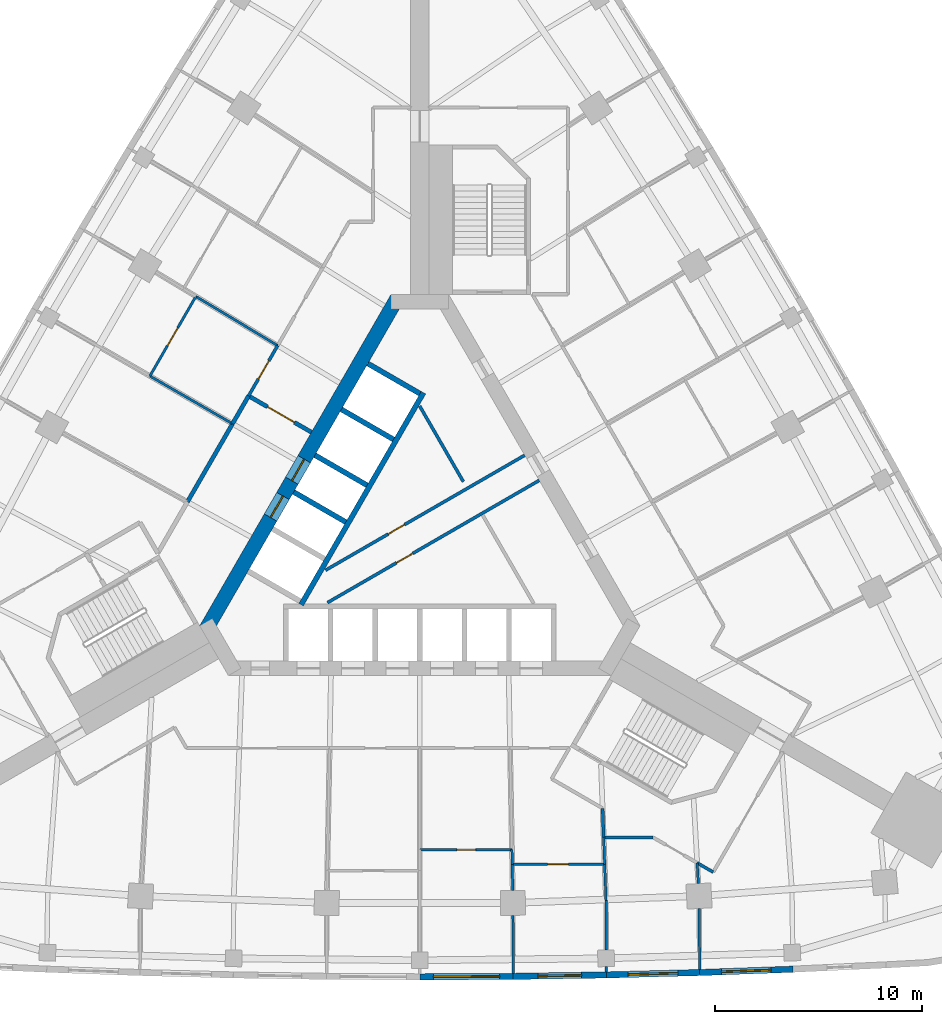
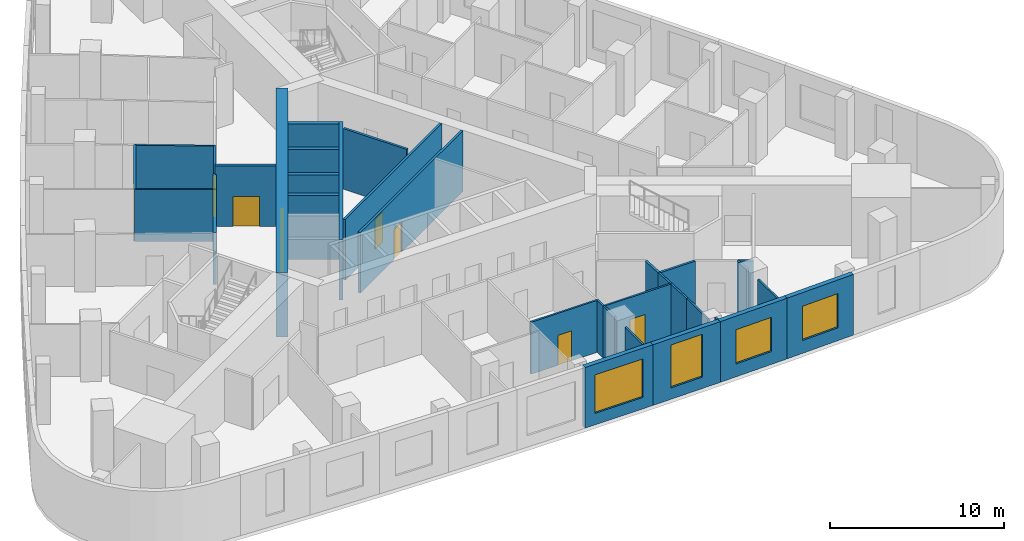
# One storey, part 6 of 11: 34 walls, 9 doors, 4 windows, 13 openings.
"""IFC4 building model written with IfcOpenShell, lengths in metres."""

from ifc_helpers import new_model, si_unit, direction, frame, frame_2d, origin, place, context, subcontext, project, spatial, rectangle, extrude, material, layer, layer_set, type_object, element, fill, save


model = new_model("IFC4")

# Units and contexts
model_context = context("Model", 3, precision=1e-05, world=origin(), true_north=direction((0.0, 1.0)))
body_context = subcontext(model_context, "Body", "Model", "MODEL_VIEW")
ifc_project = project(units=[si_unit("LENGTHUNIT", "METRE"), si_unit("AREAUNIT", "SQUARE_METRE"), si_unit("VOLUMEUNIT", "CUBIC_METRE"), si_unit("PLANEANGLEUNIT", "RADIAN"), si_unit("MASSUNIT", "GRAM", prefix="KILO")], contexts=[model_context])

# Site, building, storey
site_placement = place(None, origin())
site = spatial("IfcSite", under=ifc_project, at=site_placement, CompositionType="ELEMENT")
building_placement = place(site_placement, origin())
building = spatial("IfcBuilding", under=site, at=building_placement, Name="Noor Cloister Tower", CompositionType="ELEMENT")
storey_placement = place(building_placement, frame((0.0, 0.0, 10.5)))
storey = spatial("IfcBuildingStorey", under=building, at=storey_placement, Name="L02", CompositionType="ELEMENT", Elevation=10.5)

# Wall, opening, door
ifc_material_1 = material(Name="Concrete C30/37", Category="concrete")
ifc_layer_1 = layer(ifc_material_1, 0.14990234375)
ifc_layer_set_1 = layer_set([ifc_layer_1], Name="Core partition 150 C30/37")
wall_type_1 = type_object("IfcWallType", Name="Core partition 150 C30/37", PredefinedType="PARTITIONING", material=ifc_layer_set_1)
wall_1_placement = place(storey_placement, frame((-4.547607421875, -1.8505859375, 0.0), z_axis=(0.0, 0.0, 1.0), x_axis=(0.866023939251, 0.500002536638, 0.0)))
wall_1 = element("IfcWall", 1, at=wall_1_placement, inside=storey, type_object=wall_type_1, Name="Core room partition L02 1", PredefinedType="PARTITIONING", context=body_context, shape_type="SweptSolid", body=[
    extrude(rectangle(XDim=11.091796875, YDim=0.14990234375, at=frame_2d((5.5458984375, 0.0))), origin(), (0.0, 0.0, 1.0), 4.25),
])
opening_1_placement = place(wall_1_placement, frame((3.4970703125, 0.0, 0.0)))
opening_1 = element("IfcOpeningElement", 2, at=opening_1_placement, cuts=wall_1, Name="Opening L02-906", PredefinedType="OPENING", context=body_context, shape_type="SweptSolid", body=[
    extrude(rectangle(XDim=0.89990234375, YDim=2.10009765625, at=frame_2d((0.449951171875, 1.050048828125))), frame((0.0, 0.0849609375, 0.0), z_axis=(0.0, -1.0, 0.0), x_axis=(1.0, 0.0, 0.0)), (0.0, 0.0, 1.0), 0.169921875),
])
ifc_material_2 = material(Name="Steel", Category="steel")
door_type_1 = type_object("IfcDoorType", Name="Core door 900 x 2100 FD60", OperationType="SINGLE_SWING_LEFT", PredefinedType="DOOR", material=ifc_material_2)
door_1_placement = place(opening_1_placement, origin())
door_1 = element("IfcDoor", 3, at=door_1_placement, inside=storey, type_object=door_type_1, Name="Core door 6 L02", OperationType="SINGLE_SWING_RIGHT", OverallHeight=2.10009765625, OverallWidth=0.89990234375, PredefinedType="DOOR", context=body_context, shape_type="SweptSolid", body=[
    extrude(rectangle(XDim=0.89990234375, YDim=2.10009765625, at=frame_2d((0.449951171875, 1.050048828125))), frame((0.0, 0.02490234375, 0.0), z_axis=(0.0, -1.0, 0.0), x_axis=(1.0, 0.0, 0.0)), (0.0, 0.0, 1.0), 0.050048828125),
])
fill(opening_1, door_1)

# Wall
wall_2_placement = place(storey_placement, frame((2.099365234375, 2.420166015625, 0.0), z_axis=(0.0, 0.0, 1.0), x_axis=(-0.499998449073, 0.866026299211, 0.0)))
element("IfcWall", 4, at=wall_2_placement, inside=storey, type_object=wall_type_1, Name="Core room partition L02 2", PredefinedType="PARTITIONING", context=body_context, shape_type="SweptSolid", body=[
    extrude(rectangle(XDim=4.21142578125, YDim=0.14990234375, at=frame_2d((2.105712890625, 0.0))), origin(), (0.0, 0.0, 1.0), 4.25),
])

# Wall, opening, door
wall_3_placement = place(storey_placement, frame((-4.454345703125, -3.4130859375, 0.0), z_axis=(0.0, 0.0, 1.0), x_axis=(0.86603043987, 0.499991277142, 0.0)))
wall_3 = element("IfcWall", 5, at=wall_3_placement, inside=storey, type_object=wall_type_1, Name="Core room partition L02 3", PredefinedType="PARTITIONING", context=body_context, shape_type="SweptSolid", body=[
    extrude(rectangle(XDim=11.792236328125, YDim=0.14990234375, at=frame_2d((5.89599609375, 0.0))), origin(), (0.0, 0.0, 1.0), 4.25),
])
opening_2_placement = place(wall_3_placement, frame((3.84716796875, 0.0, 0.0)))
opening_2 = element("IfcOpeningElement", 6, at=opening_2_placement, cuts=wall_3, Name="Opening L02-904", PredefinedType="OPENING", context=body_context, shape_type="SweptSolid", body=[
    extrude(rectangle(XDim=0.89990234375, YDim=2.10009765625, at=frame_2d((0.449951171875, 1.050048828125))), frame((0.0, 0.0849609375, 0.0), z_axis=(0.0, -1.0, 0.0), x_axis=(1.0, 0.0, 0.0)), (0.0, 0.0, 1.0), 0.169921875),
])
ifc_material_3 = material(Name="Steel", Category="steel")
door_type_2 = type_object("IfcDoorType", Name="Core door 900 x 2100 FD120", OperationType="SINGLE_SWING_LEFT", PredefinedType="DOOR", material=ifc_material_3)
door_2_placement = place(opening_2_placement, origin())
door_2 = element("IfcDoor", 7, at=door_2_placement, inside=storey, type_object=door_type_2, Name="Core door 4 L02", OperationType="SINGLE_SWING_RIGHT", OverallHeight=2.10009765625, OverallWidth=0.89990234375, PredefinedType="DOOR", context=body_context, shape_type="SweptSolid", body=[
    extrude(rectangle(XDim=0.89990234375, YDim=2.10009765625, at=frame_2d((0.449951171875, 1.050048828125))), frame((0.0, 0.02490234375, 0.0), z_axis=(0.0, -1.0, 0.0), x_axis=(1.0, 0.0, 0.0)), (0.0, 0.0, 1.0), 0.050048828125),
])
fill(opening_2, door_2)

# Wall, openings, doors
ifc_material_4 = material(Name="Concrete C80/95", Category="concrete")
ifc_layer_2 = layer(ifc_material_4, 0.699951171875)
ifc_layer_set_2 = layer_set([ifc_layer_2], Name="Core wall 700 C80/95")
wall_type_2 = type_object("IfcWallType", Name="Core wall 700 C80/95", PredefinedType="SHEAR", material=ifc_layer_set_2)
wall_4_placement = place(storey_placement, frame((-1.08251953125, 11.281494140625, -0.25), z_axis=(0.0, 0.0, 1.0), x_axis=(-0.500001446645, -0.866024568562, 0.0)))
wall_4 = element("IfcWall", 8, at=wall_4_placement, inside=storey, type_object=wall_type_2, Name="Core wall L02 5", PredefinedType="SHEAR", context=body_context, shape_type="SweptSolid", body=[
    extrude(rectangle(XDim=18.45751953125, YDim=0.699951171875, at=frame_2d((9.228759765625, 0.0))), origin(), (0.0, 0.0, 1.0), 4.5),
])
opening_3_placement = place(wall_4_placement, frame((8.978759765625, 0.0, 0.25)))
opening_3 = element("IfcOpeningElement", 9, at=opening_3_placement, cuts=wall_4, Name="Opening L02-FF1", PredefinedType="OPENING", context=body_context, shape_type="SweptSolid", body=[
    extrude(rectangle(XDim=1.199951171875, YDim=2.10009765625, at=frame_2d((0.60009765625, 1.050048828125))), frame((0.0, 0.35986328125, 0.0), z_axis=(0.0, -1.0, 0.0), x_axis=(1.0, 0.0, 0.0)), (0.0, 0.0, 1.0), 0.719970703125),
])
opening_4_placement = place(wall_4_placement, frame((11.02880859375, 0.0, 0.25)))
opening_4 = element("IfcOpeningElement", 10, at=opening_4_placement, cuts=wall_4, Name="Opening L02-FF2", PredefinedType="OPENING", context=body_context, shape_type="SweptSolid", body=[
    extrude(rectangle(XDim=1.199951171875, YDim=2.10009765625, at=frame_2d((0.60009765625, 1.050048828125))), frame((0.0, 0.35986328125, 0.0), z_axis=(0.0, -1.0, 0.0), x_axis=(1.0, 0.0, 0.0)), (0.0, 0.0, 1.0), 0.719970703125),
])
ifc_material_5 = material(Name="Stainless steel", Category="steel")
door_type_3 = type_object("IfcDoorType", Name="Lift landing door 1200 x 2100", OperationType="DOUBLE_DOOR_SLIDING", PredefinedType="DOOR", material=ifc_material_5)
door_3_placement = place(opening_3_placement, origin())
door_3 = element("IfcDoor", 11, at=door_3_placement, inside=storey, type_object=door_type_3, Name="Landing door FF1 L02", OperationType="DOUBLE_DOOR_SLIDING", OverallHeight=2.10009765625, OverallWidth=1.199951171875, PredefinedType="DOOR", context=body_context, shape_type="SweptSolid", body=[
    extrude(rectangle(XDim=1.199951171875, YDim=2.10009765625, at=frame_2d((0.60009765625, 1.050048828125))), frame((0.0, 0.02490234375, 0.0), z_axis=(0.0, -1.0, 0.0), x_axis=(1.0, 0.0, 0.0)), (0.0, 0.0, 1.0), 0.050048828125),
])
fill(opening_3, door_3)
door_4_placement = place(opening_4_placement, origin())
door_4 = element("IfcDoor", 12, at=door_4_placement, inside=storey, type_object=door_type_3, Name="Landing door FF2 L02", OperationType="DOUBLE_DOOR_SLIDING", OverallHeight=2.10009765625, OverallWidth=1.199951171875, PredefinedType="DOOR", context=body_context, shape_type="SweptSolid", body=[
    extrude(rectangle(XDim=1.199951171875, YDim=2.10009765625, at=frame_2d((0.60009765625, 1.050048828125))), frame((0.0, 0.02490234375, 0.0), z_axis=(0.0, -1.0, 0.0), x_axis=(1.0, 0.0, 0.0)), (0.0, 0.0, 1.0), 0.050048828125),
])
fill(opening_4, door_4)

# Walls
ifc_material_6 = material(Name="Plasterboard on steel studs", Category="steel")
ifc_layer_3 = layer(ifc_material_6, 0.14990234375)
ifc_layer_set_3 = layer_set([ifc_layer_3], Name="Corridor wall 150")
wall_type_3 = type_object("IfcWallType", Name="Corridor wall 150", PredefinedType="PARTITIONING", material=ifc_layer_set_3)
wall_5_placement = place(storey_placement, frame((11.237060546875, -14.72802734375, 0.0), z_axis=(0.0, 0.0, 1.0), x_axis=(-1.0, 0.0, 0.0)))
element("IfcWall", 13, at=wall_5_placement, inside=storey, type_object=wall_type_3, Name="Partition", PredefinedType="PARTITIONING", context=body_context, shape_type="SweptSolid", body=[
    extrude(rectangle(XDim=2.3720703125, YDim=0.14990234375, at=frame_2d((1.18603515625, 0.0))), origin(), (0.0, 0.0, 1.0), 3.637939453125),
])
ifc_material_7 = material(Name="Plasterboard on steel studs", Category="steel")
ifc_layer_4 = layer(ifc_material_7, 0.14990234375)
ifc_layer_set_4 = layer_set([ifc_layer_4], Name="Corridor wall 150 EI 60")
wall_type_4 = type_object("IfcWallType", Name="Corridor wall 150 EI 60", PredefinedType="PARTITIONING", material=ifc_layer_set_4)
wall_6_placement = place(storey_placement, frame((14.14697265625, -16.406982421875, 0.0), z_axis=(0.0, 0.0, 1.0), x_axis=(-0.866276218641, 0.499565324075, 0.0)))
element("IfcWall", 14, at=wall_6_placement, inside=storey, type_object=wall_type_4, Name="Partition", PredefinedType="PARTITIONING", context=body_context, shape_type="SweptSolid", body=[
    extrude(rectangle(XDim=0.896728515625, YDim=0.14990234375, at=frame_2d((0.4482421875, 0.0))), origin(), (0.0, 0.0, 1.0), 3.637939453125),
])
wall_7_placement = place(storey_placement, frame((8.864990234375, -14.72705078125, 0.0), z_axis=(0.0, 0.0, 1.0), x_axis=(-0.037173032443, 0.999308843981, 0.0)))
element("IfcWall", 15, at=wall_7_placement, inside=storey, type_object=wall_type_4, Name="Partition", PredefinedType="PARTITIONING", context=body_context, shape_type="SweptSolid", body=[
    extrude(rectangle(XDim=1.39892578125, YDim=0.14990234375, at=frame_2d((0.699462890625, 0.0))), origin(), (0.0, 0.0, 1.0), 3.637939453125),
])

# Wall, opening, door
wall_8_placement = place(storey_placement, frame((-8.256103515625, 6.55810546875, 0.0), z_axis=(0.0, 0.0, 1.0), x_axis=(0.500081734942, 0.86597820895, 0.0)))
wall_8 = element("IfcWall", 16, at=wall_8_placement, inside=storey, type_object=wall_type_4, Name="Partition", PredefinedType="PARTITIONING", context=body_context, shape_type="SweptSolid", body=[
    extrude(rectangle(XDim=2.8037109375, YDim=0.14990234375, at=frame_2d((1.40185546875, 0.0))), origin(), (0.0, 0.0, 1.0), 3.637939453125),
])
opening_5_placement = place(wall_8_placement, frame((0.949951171875, 0.0, 0.0)))
opening_5 = element("IfcOpeningElement", 17, at=opening_5_placement, cuts=wall_8, Name="Opening L02-020", PredefinedType="OPENING", context=body_context, shape_type="SweptSolid", body=[
    extrude(rectangle(XDim=1.0, YDim=2.10009765625, at=frame_2d((0.5, 1.050048828125))), frame((0.0, 0.0849609375, 0.0), z_axis=(0.0, -1.0, 0.0), x_axis=(1.0, 0.0, 0.0)), (0.0, 0.0, 1.0), 0.169921875),
])
ifc_material_8 = material(Name="Timber door leaf", Category="wood")
door_type_4 = type_object("IfcDoorType", Name="Clinic room door 1000 FD60", OperationType="SINGLE_SWING_LEFT", PredefinedType="DOOR", material=ifc_material_8)
door_5_placement = place(opening_5_placement, origin())
door_5 = element("IfcDoor", 18, at=door_5_placement, inside=storey, type_object=door_type_4, Name="Door L02-020", OperationType="SINGLE_SWING_RIGHT", OverallHeight=2.10009765625, OverallWidth=1.0, PredefinedType="DOOR", context=body_context, shape_type="SweptSolid", body=[
    extrude(rectangle(XDim=1.0, YDim=2.10009765625, at=frame_2d((0.5, 1.050048828125))), frame((0.0, 0.02490234375, 0.0), z_axis=(0.0, -1.0, 0.0), x_axis=(1.0, 0.0, 0.0)), (0.0, 0.0, 1.0), 0.050048828125),
])
fill(opening_5, door_5)

# Walls
ifc_material_9 = material(Name="Reinforced blockwork", Category="masonry")
ifc_layer_5 = layer(ifc_material_9, 0.199951171875)
ifc_layer_set_5 = layer_set([ifc_layer_5], Name="Fire rated block wall 200")
wall_type_5 = type_object("IfcWallType", Name="Fire rated block wall 200", PredefinedType="PARTITIONING", material=ifc_layer_set_5)
wall_9_placement = place(storey_placement, frame((-9.031005859375, 5.212890625, 0.0), z_axis=(0.0, 0.0, 1.0), x_axis=(-0.500044734646, -0.865999574684, 0.0)))
element("IfcWall", 19, at=wall_9_placement, inside=storey, type_object=wall_type_5, Name="Fire rated wall", PredefinedType="PARTITIONING", context=body_context, shape_type="SweptSolid", body=[
    extrude(rectangle(XDim=4.349609375, YDim=0.199951171875, at=frame_2d((2.1748046875, 0.0))), origin(), (0.0, 0.0, 1.0), 3.637939453125),
])
wall_10_placement = place(storey_placement, frame((-8.256103515625, 6.555908203125, 0.0), z_axis=(0.0, 0.0, 1.0), x_axis=(-0.499904469662, -0.866080551226, 0.0)))
element("IfcWall", 20, at=wall_10_placement, inside=storey, type_object=wall_type_5, Name="Fire rated wall", PredefinedType="PARTITIONING", context=body_context, shape_type="SweptSolid", body=[
    extrude(rectangle(XDim=1.548095703125, YDim=0.199951171875, at=frame_2d((0.77392578125, 0.0))), origin(), (0.0, 0.0, 1.0), 3.637939453125),
])

# Wall, opening, door
wall_11_placement = place(storey_placement, frame((-5.22607421875, 4.805908203125, 0.0), z_axis=(0.0, 0.0, 1.0), x_axis=(-0.865949687125, 0.500131122175, 0.0)))
wall_11 = element("IfcWall", 21, at=wall_11_placement, inside=storey, type_object=wall_type_5, Name="Fire rated wall", PredefinedType="PARTITIONING", context=body_context, shape_type="SweptSolid", body=[
    extrude(rectangle(XDim=3.4990234375, YDim=0.199951171875, at=frame_2d((1.74951171875, 0.0))), origin(), (0.0, 0.0, 1.0), 4.25),
])
opening_6_placement = place(wall_11_placement, frame((0.949951171875, 0.0, 0.0)))
opening_6 = element("IfcOpeningElement", 22, at=opening_6_placement, cuts=wall_11, Name="Opening L02-034", PredefinedType="OPENING", context=body_context, shape_type="SweptSolid", body=[
    extrude(rectangle(XDim=1.5, YDim=2.10009765625, at=frame_2d((0.75, 1.050048828125))), frame((0.0, 0.10986328125, 0.0), z_axis=(0.0, -1.0, 0.0), x_axis=(1.0, 0.0, 0.0)), (0.0, 0.0, 1.0), 0.219970703125),
])
ifc_material_10 = material(Name="Steel fire door", Category="steel")
door_type_5 = type_object("IfcDoorType", Name="Smoke barrier door FD60 1500", OperationType="DOUBLE_DOOR_SINGLE_SWING", PredefinedType="DOOR", material=ifc_material_10)
door_6_placement = place(opening_6_placement, origin())
door_6 = element("IfcDoor", 23, at=door_6_placement, inside=storey, type_object=door_type_5, Name="Door L02-034", OperationType="DOUBLE_DOOR_SINGLE_SWING", OverallHeight=2.10009765625, OverallWidth=1.5, PredefinedType="DOOR", context=body_context, shape_type="SweptSolid", body=[
    extrude(rectangle(XDim=1.5, YDim=2.10009765625, at=frame_2d((0.75, 1.050048828125))), frame((0.0, 0.02490234375, 0.0), z_axis=(0.0, -1.0, 0.0), x_axis=(1.0, 0.0, 0.0)), (0.0, 0.0, 1.0), 0.050048828125),
])
fill(opening_6, door_6)

# Wall, opening, window
ifc_material_11 = material(Name="Limestone", Category="masonry")
ifc_layer_6 = layer(ifc_material_11, 0.300048828125)
ifc_layer_set_6 = layer_set([ifc_layer_6], Name="Limestone panel wall 300")
wall_type_6 = type_object("IfcWallType", Name="Limestone panel wall 300", PredefinedType="NOTDEFINED", material=ifc_layer_set_6)
wall_12_placement = place(storey_placement, frame((4.4970703125, -21.43408203125, 0.0), z_axis=(0.0, 0.0, 1.0), x_axis=(-0.999986693461, -0.005158769258, 0.0)))
wall_12 = element("IfcWall", 24, at=wall_12_placement, inside=storey, type_object=wall_type_6, Name="Limestone wall L02 S 6", PredefinedType="NOTDEFINED", context=body_context, shape_type="SweptSolid", body=[
    extrude(rectangle(XDim=4.495849609375, YDim=0.300048828125, at=frame_2d((2.248046875, 0.0))), origin(), (0.0, 0.0, 1.0), 4.25),
])
opening_7_placement = place(wall_12_placement, frame((0.64794921875, 0.0, 0.800048828125)))
opening_7 = element("IfcOpeningElement", 25, at=opening_7_placement, cuts=wall_12, Name="Opening L02-W16", PredefinedType="OPENING", context=body_context, shape_type="SweptSolid", body=[
    extrude(rectangle(XDim=3.199951171875, YDim=2.699951171875, at=frame_2d((1.60009765625, 1.35009765625))), frame((0.0, 0.16015625, 0.0), z_axis=(0.0, -1.0, 0.0), x_axis=(1.0, 0.0, 0.0)), (0.0, 0.0, 1.0), 0.320068359375),
])
ifc_material_12 = material(Name="Aluminium 6063-T6 anodised", Category="aluminium")
window_type_1 = type_object("IfcWindowType", Name="Waiting room window 3200 x 2700", PartitioningType="TRIPLE_PANEL_VERTICAL", PredefinedType="WINDOW", material=ifc_material_12)
window_1_placement = place(opening_7_placement, origin())
window_1 = element("IfcWindow", 26, at=window_1_placement, inside=storey, type_object=window_type_1, Name="Window L02 16", OverallHeight=2.699951171875, OverallWidth=3.199951171875, PartitioningType="TRIPLE_PANEL_VERTICAL", PredefinedType="WINDOW", context=body_context, shape_type="SweptSolid", body=[
    extrude(rectangle(XDim=3.199951171875, YDim=2.699951171875, at=frame_2d((1.60009765625, 1.35009765625))), frame((0.0, 0.030029296875, 0.0), z_axis=(0.0, -1.0, 0.0), x_axis=(1.0, 0.0, 0.0)), (0.0, 0.0, 1.0), 0.06005859375),
])
fill(opening_7, window_1)

wall_13_placement = place(storey_placement, frame((8.9951171875, -21.364990234375, 0.0), z_axis=(0.0, 0.0, 1.0), x_axis=(-0.999881921814, -0.015366926462, 0.0)))
wall_13 = element("IfcWall", 27, at=wall_13_placement, inside=storey, type_object=wall_type_6, Name="Limestone wall L02 S 7", PredefinedType="NOTDEFINED", context=body_context, shape_type="SweptSolid", body=[
    extrude(rectangle(XDim=4.49609375, YDim=0.300048828125, at=frame_2d((2.248046875, 0.0))), origin(), (0.0, 0.0, 1.0), 4.25),
])
opening_8_placement = place(wall_13_placement, frame((1.197998046875, 0.0, 0.800048828125)))
opening_8 = element("IfcOpeningElement", 28, at=opening_8_placement, cuts=wall_13, Name="Opening L02-W17", PredefinedType="OPENING", context=body_context, shape_type="SweptSolid", body=[
    extrude(rectangle(XDim=2.10009765625, YDim=3.0, at=frame_2d((1.050048828125, 1.5))), frame((0.0, 0.16015625, 0.0), z_axis=(0.0, -1.0, 0.0), x_axis=(1.0, 0.0, 0.0)), (0.0, 0.0, 1.0), 0.320068359375),
])
ifc_material_13 = material(Name="Aluminium 6063-T6 anodised", Category="aluminium")
window_type_2 = type_object("IfcWindowType", Name="Therapy window 2100 x 3000", PartitioningType="DOUBLE_PANEL_HORIZONTAL", PredefinedType="WINDOW", material=ifc_material_13)
window_2_placement = place(opening_8_placement, origin())
window_2 = element("IfcWindow", 29, at=window_2_placement, inside=storey, type_object=window_type_2, Name="Window L02 17", OverallHeight=3.0, OverallWidth=2.10009765625, PartitioningType="DOUBLE_PANEL_HORIZONTAL", PredefinedType="WINDOW", context=body_context, shape_type="SweptSolid", body=[
    extrude(rectangle(XDim=2.10009765625, YDim=3.0, at=frame_2d((1.050048828125, 1.5))), frame((0.0, 0.030029296875, 0.0), z_axis=(0.0, -1.0, 0.0), x_axis=(1.0, 0.0, 0.0)), (0.0, 0.0, 1.0), 0.06005859375),
])
fill(opening_8, window_2)

wall_14_placement = place(storey_placement, frame((13.491943359375, -21.24951171875, 0.0), z_axis=(0.0, 0.0, 1.0), x_axis=(-0.999671466587, -0.025631209312, 0.0)))
wall_14 = element("IfcWall", 30, at=wall_14_placement, inside=storey, type_object=wall_type_6, Name="Limestone wall L02 S 8", PredefinedType="NOTDEFINED", context=body_context, shape_type="SweptSolid", body=[
    extrude(rectangle(XDim=4.495849609375, YDim=0.300048828125, at=frame_2d((2.248046875, 0.0))), origin(), (0.0, 0.0, 1.0), 4.25),
])
opening_9_placement = place(wall_14_placement, frame((1.048095703125, 0.0, 0.89990234375)))
opening_9 = element("IfcOpeningElement", 31, at=opening_9_placement, cuts=wall_14, Name="Opening L02-W18", PredefinedType="OPENING", context=body_context, shape_type="SweptSolid", body=[
    extrude(rectangle(XDim=2.39990234375, YDim=2.39990234375, at=frame_2d((1.199951171875, 1.199951171875))), frame((0.0, 0.16015625, 0.0), z_axis=(0.0, -1.0, 0.0), x_axis=(1.0, 0.0, 0.0)), (0.0, 0.0, 1.0), 0.320068359375),
])
ifc_material_14 = material(Name="Aluminium 6063-T6 anodised", Category="aluminium")
window_type_3 = type_object("IfcWindowType", Name="Clinic window 2400 x 2400", PartitioningType="DOUBLE_PANEL_VERTICAL", PredefinedType="WINDOW", material=ifc_material_14)
window_3_placement = place(opening_9_placement, origin())
window_3 = element("IfcWindow", 32, at=window_3_placement, inside=storey, type_object=window_type_3, Name="Window L02 18", OverallHeight=2.39990234375, OverallWidth=2.39990234375, PartitioningType="DOUBLE_PANEL_VERTICAL", PredefinedType="WINDOW", context=body_context, shape_type="SweptSolid", body=[
    extrude(rectangle(XDim=2.39990234375, YDim=2.39990234375, at=frame_2d((1.199951171875, 1.199951171875))), frame((0.0, 0.030029296875, 0.0), z_axis=(0.0, -1.0, 0.0), x_axis=(1.0, 0.0, 0.0)), (0.0, 0.0, 1.0), 0.06005859375),
])
fill(opening_9, window_3)

wall_15_placement = place(storey_placement, frame((17.987548828125, -21.087890625, 0.0), z_axis=(0.0, 0.0, 1.0), x_axis=(-0.999355640029, -0.035892962294, 0.0)))
wall_15 = element("IfcWall", 33, at=wall_15_placement, inside=storey, type_object=wall_type_6, Name="Limestone wall L02 S 9", PredefinedType="NOTDEFINED", context=body_context, shape_type="SweptSolid", body=[
    extrude(rectangle(XDim=4.49609375, YDim=0.300048828125, at=frame_2d((2.248046875, 0.0))), origin(), (0.0, 0.0, 1.0), 4.25),
])
opening_10_placement = place(wall_15_placement, frame((1.048095703125, 0.0, 0.89990234375)))
opening_10 = element("IfcOpeningElement", 34, at=opening_10_placement, cuts=wall_15, Name="Opening L02-W19", PredefinedType="OPENING", context=body_context, shape_type="SweptSolid", body=[
    extrude(rectangle(XDim=2.39990234375, YDim=2.39990234375, at=frame_2d((1.199951171875, 1.199951171875))), frame((0.0, 0.16015625, 0.0), z_axis=(0.0, -1.0, 0.0), x_axis=(1.0, 0.0, 0.0)), (0.0, 0.0, 1.0), 0.320068359375),
])
window_4_placement = place(opening_10_placement, origin())
window_4 = element("IfcWindow", 35, at=window_4_placement, inside=storey, type_object=window_type_3, Name="Window L02 19", OverallHeight=2.39990234375, OverallWidth=2.39990234375, PartitioningType="DOUBLE_PANEL_VERTICAL", PredefinedType="WINDOW", context=body_context, shape_type="SweptSolid", body=[
    extrude(rectangle(XDim=2.39990234375, YDim=2.39990234375, at=frame_2d((1.199951171875, 1.199951171875))), frame((0.0, 0.030029296875, 0.0), z_axis=(0.0, -1.0, 0.0), x_axis=(1.0, 0.0, 0.0)), (0.0, 0.0, 1.0), 0.06005859375),
])
fill(opening_10, window_4)

# Walls
ifc_material_15 = material(Name="Plasterboard on steel studs", Category="steel")
ifc_layer_7 = layer(ifc_material_15, 0.1201171875)
ifc_layer_set_7 = layer_set([ifc_layer_7], Name="Partition wall 120")
wall_type_7 = type_object("IfcWallType", Name="Partition wall 120", PredefinedType="PARTITIONING", material=ifc_layer_set_7)
wall_16_placement = place(storey_placement, frame((8.991943359375, -20.1650390625, 0.0), z_axis=(0.0, 0.0, 1.0), x_axis=(-0.005803200997, 0.999983161287, 0.0)))
element("IfcWall", 36, at=wall_16_placement, inside=storey, type_object=wall_type_7, Name="Partition", PredefinedType="PARTITIONING", context=body_context, shape_type="SweptSolid", body=[
    extrude(rectangle(XDim=2.39794921875, YDim=0.1201171875, at=frame_2d((1.198974609375, 0.0))), origin(), (0.0, 0.0, 1.0), 3.637939453125),
])
wall_17_placement = place(storey_placement, frame((8.97802734375, -17.76708984375, 0.0), z_axis=(0.0, 0.0, 1.0), x_axis=(-0.037229075286, 0.999306757684, 0.0)))
element("IfcWall", 37, at=wall_17_placement, inside=storey, type_object=wall_type_7, Name="Partition", PredefinedType="PARTITIONING", context=body_context, shape_type="SweptSolid", body=[
    extrude(rectangle(XDim=1.744384765625, YDim=0.1201171875, at=frame_2d((0.8720703125, 0.0))), origin(), (0.0, 0.0, 1.0), 3.637939453125),
])
wall_18_placement = place(storey_placement, frame((8.998046875, -21.215087890625, 0.0), z_axis=(0.0, 0.0, 1.0), x_axis=(-0.007812261592, 0.999969483819, 0.0)))
element("IfcWall", 38, at=wall_18_placement, inside=storey, type_object=wall_type_7, Name="Partition", PredefinedType="PARTITIONING", context=body_context, shape_type="SweptSolid", body=[
    extrude(rectangle(XDim=0.25, YDim=0.1201171875, at=frame_2d((0.125, 0.0))), origin(), (0.0, 0.0, 1.0), 4.25),
])
wall_19_placement = place(storey_placement, frame((4.455078125, -16.02392578125, 0.0), z_axis=(0.0, 0.0, 1.0), x_axis=(0.018879100933, -0.999821773892, 0.0)))
element("IfcWall", 39, at=wall_19_placement, inside=storey, type_object=wall_type_7, Name="Partition", PredefinedType="PARTITIONING", context=body_context, shape_type="SweptSolid", body=[
    extrude(rectangle(XDim=1.267333984375, YDim=0.1201171875, at=frame_2d((0.6337890625, 0.0))), origin(), (0.0, 0.0, 1.0), 3.637939453125),
])
wall_20_placement = place(storey_placement, frame((4.491943359375, -18.491943359375, 0.0), z_axis=(0.0, 0.0, 1.0), x_axis=(0.002535843543, -0.999996784744, 0.0)))
element("IfcWall", 40, at=wall_20_placement, inside=storey, type_object=wall_type_7, Name="Partition", PredefinedType="PARTITIONING", context=body_context, shape_type="SweptSolid", body=[
    extrude(rectangle(XDim=2.7919921875, YDim=0.1201171875, at=frame_2d((1.39599609375, 0.0))), origin(), (0.0, 0.0, 1.0), 3.633056640625),
])

# Wall, opening, door
wall_21_placement = place(storey_placement, frame((4.44189453125, -15.327880859375, 0.0), z_axis=(0.0, 0.0, 1.0), x_axis=(-1.0, 0.0, 0.0)))
wall_21 = element("IfcWall", 41, at=wall_21_placement, inside=storey, type_object=wall_type_7, Name="Partition", PredefinedType="PARTITIONING", context=body_context, shape_type="SweptSolid", body=[
    extrude(rectangle(XDim=4.44189453125, YDim=0.1201171875, at=frame_2d((2.220947265625, 0.0))), origin(), (0.0, 0.0, 1.0), 3.637939453125),
])
opening_11_placement = place(wall_21_placement, frame((1.75, 0.0, 0.0)))
opening_11 = element("IfcOpeningElement", 42, at=opening_11_placement, cuts=wall_21, Name="Opening L02-004", PredefinedType="OPENING", context=body_context, shape_type="SweptSolid", body=[
    extrude(rectangle(XDim=0.89990234375, YDim=2.10009765625, at=frame_2d((0.449951171875, 1.050048828125))), frame((0.0, 0.070068359375, 0.0), z_axis=(0.0, -1.0, 0.0), x_axis=(1.0, 0.0, 0.0)), (0.0, 0.0, 1.0), 0.14013671875),
])
ifc_material_16 = material(Name="Timber door leaf", Category="wood")
door_type_6 = type_object("IfcDoorType", Name="Service room door 900", OperationType="SINGLE_SWING_LEFT", PredefinedType="DOOR", material=ifc_material_16)
door_7_placement = place(opening_11_placement, origin())
door_7 = element("IfcDoor", 43, at=door_7_placement, inside=storey, type_object=door_type_6, Name="Door L02-004", OperationType="SINGLE_SWING_LEFT", OverallHeight=2.10009765625, OverallWidth=0.89990234375, PredefinedType="DOOR", context=body_context, shape_type="SweptSolid", body=[
    extrude(rectangle(XDim=0.89990234375, YDim=2.10009765625, at=frame_2d((0.449951171875, 1.050048828125))), frame((0.0, 0.02490234375, 0.0), z_axis=(0.0, -1.0, 0.0), x_axis=(1.0, 0.0, 0.0)), (0.0, 0.0, 1.0), 0.050048828125),
])
fill(opening_11, door_7)

ifc_material_17 = material(Name="Plasterboard on steel studs", Category="steel")
ifc_layer_8 = layer(ifc_material_17, 0.1201171875)
ifc_layer_set_8 = layer_set([ifc_layer_8], Name="Partition wall 120 EI 60")
wall_type_8 = type_object("IfcWallType", Name="Partition wall 120 EI 60", PredefinedType="PARTITIONING", material=ifc_layer_set_8)
wall_22_placement = place(storey_placement, frame((8.9130859375, -16.028076171875, 0.0), z_axis=(0.0, 0.0, 1.0), x_axis=(-1.0, 0.0, 0.0)))
wall_22 = element("IfcWall", 44, at=wall_22_placement, inside=storey, type_object=wall_type_8, Name="Partition", PredefinedType="PARTITIONING", context=body_context, shape_type="SweptSolid", body=[
    extrude(rectangle(XDim=4.4580078125, YDim=0.1201171875, at=frame_2d((2.22900390625, 0.0))), origin(), (0.0, 0.0, 1.0), 3.637939453125),
])
opening_12_placement = place(wall_22_placement, frame((1.75, 0.0, 0.0)))
opening_12 = element("IfcOpeningElement", 45, at=opening_12_placement, cuts=wall_22, Name="Opening L02-002", PredefinedType="OPENING", context=body_context, shape_type="SweptSolid", body=[
    extrude(rectangle(XDim=1.0, YDim=2.10009765625, at=frame_2d((0.5, 1.050048828125))), frame((0.0, 0.070068359375, 0.0), z_axis=(0.0, -1.0, 0.0), x_axis=(1.0, 0.0, 0.0)), (0.0, 0.0, 1.0), 0.14013671875),
])
door_8_placement = place(opening_12_placement, origin())
door_8 = element("IfcDoor", 46, at=door_8_placement, inside=storey, type_object=door_type_4, Name="Door L02-002", OperationType="SINGLE_SWING_RIGHT", OverallHeight=2.10009765625, OverallWidth=1.0, PredefinedType="DOOR", context=body_context, shape_type="SweptSolid", body=[
    extrude(rectangle(XDim=1.0, YDim=2.10009765625, at=frame_2d((0.5, 1.050048828125))), frame((0.0, 0.02490234375, 0.0), z_axis=(0.0, -1.0, 0.0), x_axis=(1.0, 0.0, 0.0)), (0.0, 0.0, 1.0), 0.050048828125),
])
fill(opening_12, door_8)

# Walls
wall_23_placement = place(storey_placement, frame((13.428955078125, -16.958984375, 0.0), z_axis=(0.0, 0.0, 1.0), x_axis=(-0.055063393043, 0.998482860517, 0.0)))
element("IfcWall", 47, at=wall_23_placement, inside=storey, type_object=wall_type_8, Name="Partition", PredefinedType="PARTITIONING", context=body_context, shape_type="SweptSolid", body=[
    extrude(rectangle(XDim=0.99755859375, YDim=0.1201171875, at=frame_2d((0.498779296875, 0.0))), origin(), (0.0, 0.0, 1.0), 3.637939453125),
])
wall_24_placement = place(storey_placement, frame((13.4951171875, -21.09912109375, 0.0), z_axis=(0.0, 0.0, 1.0), x_axis=(-0.009216581037, 0.999957526415, 0.0)))
element("IfcWall", 48, at=wall_24_placement, inside=storey, type_object=wall_type_8, Name="Partition", PredefinedType="PARTITIONING", context=body_context, shape_type="SweptSolid", body=[
    extrude(rectangle(XDim=2.9404296875, YDim=0.1201171875, at=frame_2d((1.47021484375, 0.0))), origin(), (0.0, 0.0, 1.0), 3.633056640625),
])
wall_25_placement = place(storey_placement, frame((8.864990234375, -14.72412109375, 0.0), z_axis=(0.0, 0.0, 1.0), x_axis=(0.03688700211, -0.999319442959, 0.0)))
element("IfcWall", 49, at=wall_25_placement, inside=storey, type_object=wall_type_8, Name="Partition", PredefinedType="PARTITIONING", context=body_context, shape_type="SweptSolid", body=[
    extrude(rectangle(XDim=1.303955078125, YDim=0.1201171875, at=frame_2d((0.65185546875, 0.0))), origin(), (0.0, 0.0, 1.0), 3.637939453125),
])
wall_26_placement = place(storey_placement, frame((4.455078125, -16.027099609375, 0.0), z_axis=(0.0, 0.0, 1.0), x_axis=(-0.01874670497, 0.999824265085, 0.0)))
element("IfcWall", 50, at=wall_26_placement, inside=storey, type_object=wall_type_8, Name="Partition", PredefinedType="PARTITIONING", context=body_context, shape_type="SweptSolid", body=[
    extrude(rectangle(XDim=0.703369140625, YDim=0.1201171875, at=frame_2d((0.3515625, 0.0))), origin(), (0.0, 0.0, 1.0), 3.637939453125),
])
wall_27_placement = place(storey_placement, frame((-9.031982421875, 5.215087890625, 0.0), z_axis=(0.0, 0.0, 1.0), x_axis=(-0.866130767322, 0.499817460578, 0.0)))
element("IfcWall", 51, at=wall_27_placement, inside=storey, type_object=wall_type_8, Name="Partition", PredefinedType="PARTITIONING", context=body_context, shape_type="SweptSolid", body=[
    extrude(rectangle(XDim=4.597412109375, YDim=0.1201171875, at=frame_2d((2.298828125, 0.0))), origin(), (0.0, 0.0, 1.0), 3.637939453125),
])

# Wall, opening, door
wall_28_placement = place(storey_placement, frame((-10.797119140625, 11.35498046875, 0.0), z_axis=(0.0, 0.0, 1.0), x_axis=(-0.500117989508, -0.865957271793, 0.0)))
wall_28 = element("IfcWall", 52, at=wall_28_placement, inside=storey, type_object=wall_type_8, Name="Partition", PredefinedType="PARTITIONING", context=body_context, shape_type="SweptSolid", body=[
    extrude(rectangle(XDim=4.4345703125, YDim=0.1201171875, at=frame_2d((2.21728515625, 0.0))), origin(), (0.0, 0.0, 1.0), 3.637939453125),
])
opening_13_placement = place(wall_28_placement, frame((1.75, 0.0, 0.0)))
opening_13 = element("IfcOpeningElement", 53, at=opening_13_placement, cuts=wall_28, Name="Opening L02-022", PredefinedType="OPENING", context=body_context, shape_type="SweptSolid", body=[
    extrude(rectangle(XDim=1.0, YDim=2.10009765625, at=frame_2d((0.5, 1.050048828125))), frame((0.0, 0.070068359375, 0.0), z_axis=(0.0, -1.0, 0.0), x_axis=(1.0, 0.0, 0.0)), (0.0, 0.0, 1.0), 0.14013671875),
])
door_9_placement = place(opening_13_placement, origin())
door_9 = element("IfcDoor", 54, at=door_9_placement, inside=storey, type_object=door_type_4, Name="Door L02-022", OperationType="SINGLE_SWING_LEFT", OverallHeight=2.10009765625, OverallWidth=1.0, PredefinedType="DOOR", context=body_context, shape_type="SweptSolid", body=[
    extrude(rectangle(XDim=1.0, YDim=2.10009765625, at=frame_2d((0.5, 1.050048828125))), frame((0.0, 0.02490234375, 0.0), z_axis=(0.0, -1.0, 0.0), x_axis=(1.0, 0.0, 0.0)), (0.0, 0.0, 1.0), 0.050048828125),
])
fill(opening_13, door_9)

# Walls
wall_29_placement = place(storey_placement, frame((-6.85693359375, 8.98291015625, 0.0), z_axis=(0.0, 0.0, 1.0), x_axis=(-0.856751730158, 0.515729069251, 0.0)))
element("IfcWall", 55, at=wall_29_placement, inside=storey, type_object=wall_type_8, Name="Partition", PredefinedType="PARTITIONING", context=body_context, shape_type="SweptSolid", body=[
    extrude(rectangle(XDim=4.59765625, YDim=0.1201171875, at=frame_2d((2.298828125, 0.0))), origin(), (0.0, 0.0, 1.0), 3.637939453125),
])
ifc_material_18 = material(Name="Concrete C80/95", Category="concrete")
ifc_layer_9 = layer(ifc_material_18, 0.25)
ifc_layer_set_9 = layer_set([ifc_layer_9], Name="Shaft wall 250 C80/95")
wall_type_9 = type_object("IfcWallType", Name="Shaft wall 250 C80/95", PredefinedType="PARTITIONING", material=ifc_layer_set_9)
wall_30_placement = place(storey_placement, frame((-2.50634765625, 8.115478515625, -0.25), z_axis=(0.0, 0.0, 1.0), x_axis=(0.865996321171, -0.50005036918, 0.0)))
element("IfcWall", 56, at=wall_30_placement, inside=storey, type_object=wall_type_9, Name="Lift shaft wall L02 NW 1", PredefinedType="PARTITIONING", context=body_context, shape_type="SweptSolid", body=[
    extrude(rectangle(XDim=2.900146484375, YDim=0.25, at=frame_2d((1.4501953125, 0.0))), origin(), (0.0, 0.0, 1.0), 4.5),
])
for number, where, z_axis, x_axis, name in (
    (57, (-3.78125, 5.906982421875, -0.25), (0.0, 0.0, 1.0), (0.866032775405, -0.499987231761, 0.0), "Lift shaft wall L02 NW 2"),
    (58, (-5.056396484375, 3.69873046875, -0.25), (0.0, 0.0, 1.0), (0.866032775405, -0.499987231761, 0.0), "Lift shaft wall L02 NW 3"),
    (59, (-6.081298828125, 1.92333984375, -0.25), (0.0, 0.0, 1.0), (0.866032775405, -0.499987231761, 0.0), "Lift shaft wall L02 NW 4"),
):
    element("IfcWall", number, at=place(storey_placement, frame(where, z_axis=z_axis, x_axis=x_axis)), inside=storey, type_object=wall_type_9, Name=name, PredefinedType="PARTITIONING", context=body_context, shape_type="SweptSolid", body=[
        extrude(rectangle(XDim=2.89990234375, YDim=0.25, at=frame_2d((1.449951171875, 0.0))), origin(), (0.0, 0.0, 1.0), 4.5),
    ])
wall_31_placement = place(storey_placement, frame((0.176025390625, 6.711181640625, 0.0), z_axis=(0.0, 0.0, 1.0), x_axis=(-0.500004227369, -0.866022963098, 0.0)))
element("IfcWall", 60, at=wall_31_placement, inside=storey, type_object=wall_type_9, Name="Lift shaft back wall L02 NW", PredefinedType="PARTITIONING", context=body_context, shape_type="SweptSolid", body=[
    extrude(rectangle(XDim=11.80029296875, YDim=0.25, at=frame_2d((5.900146484375, 0.0))), origin(), (0.0, 0.0, 1.0), 4.25),
])

save(model, "model.ifc")
